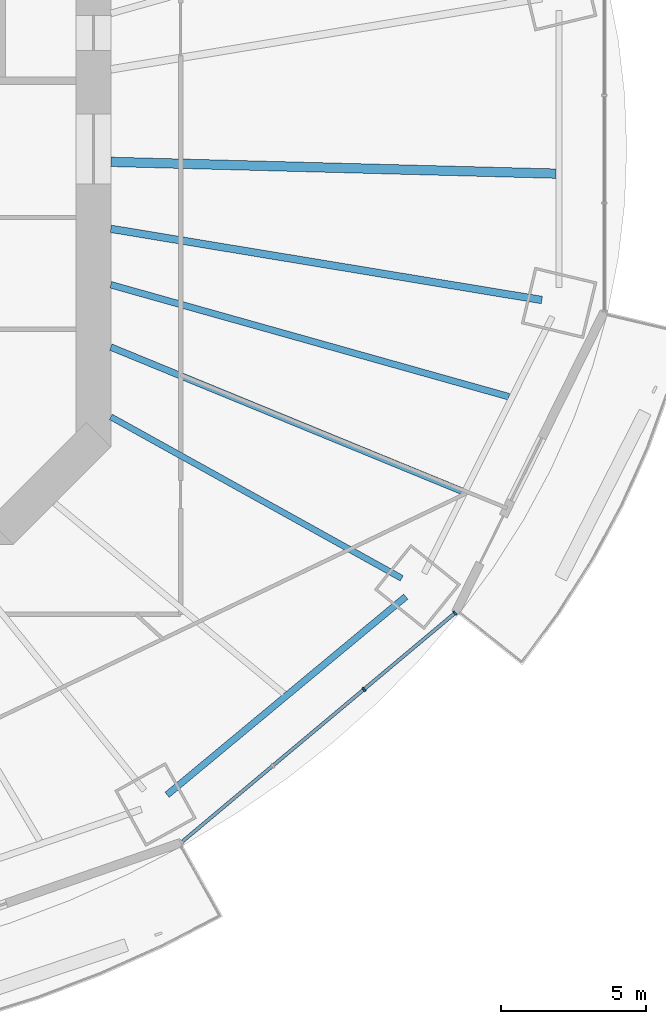
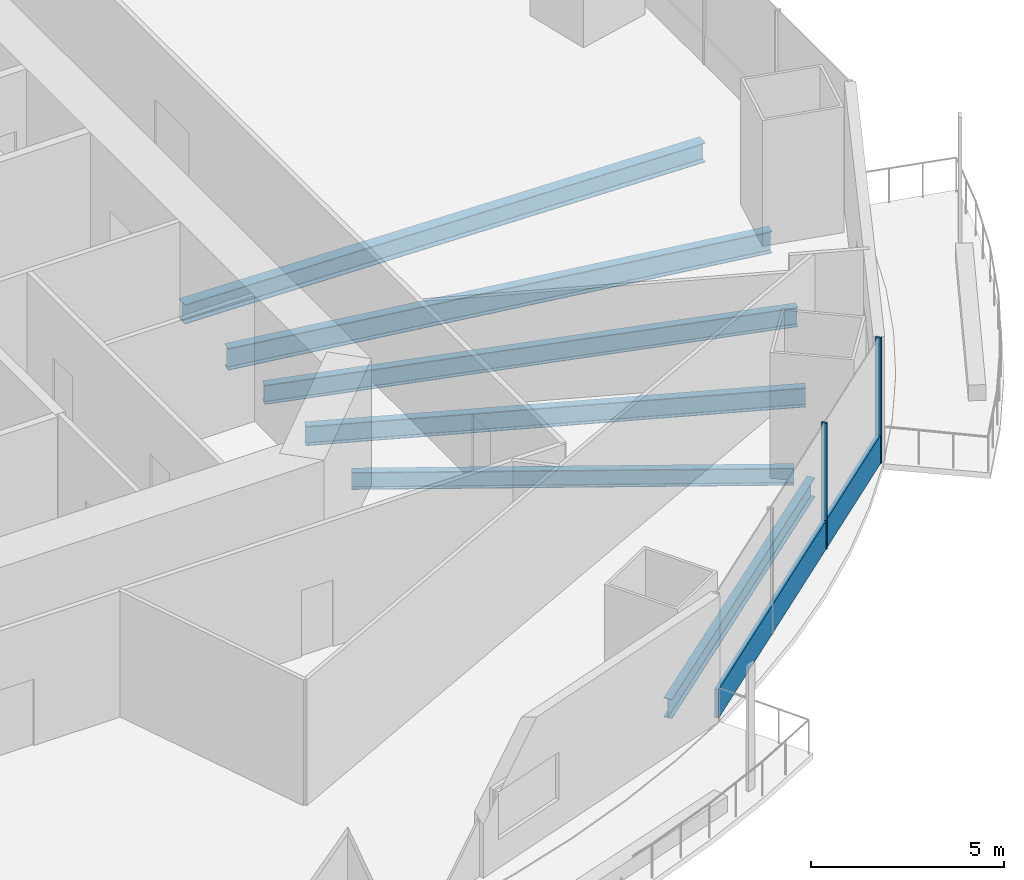
# One storey, part 5 of 22: 6 beams, 3 members, 1 element without a shape of its own.
"""IFC4 building model written with IfcOpenShell, lengths in metres."""

from ifc_helpers import new_model, si_unit, direction, frame, origin, origin_2d, place, context, subcontext, project, spatial, rectangle, i_section, extrude, material, material_profile, profile_set, type_object, element, aggregate, save


model = new_model("IFC4")

# Units and contexts
model_context = context("Model", 3, precision=1e-05, world=origin(), true_north=direction((0.0, 1.0)))
body_context = subcontext(model_context, "Body", "Model", "MODEL_VIEW")
ifc_project = project(units=[si_unit("LENGTHUNIT", "METRE"), si_unit("AREAUNIT", "SQUARE_METRE"), si_unit("VOLUMEUNIT", "CUBIC_METRE"), si_unit("PLANEANGLEUNIT", "RADIAN"), si_unit("MASSUNIT", "GRAM", prefix="KILO")], contexts=[model_context])

# Site, building, storey
site_placement = place(None, origin())
site = spatial("IfcSite", under=ifc_project, at=site_placement, CompositionType="ELEMENT")
building_placement = place(site_placement, origin())
building = spatial("IfcBuilding", under=site, at=building_placement, Name="Marenthal Gate Tower", CompositionType="ELEMENT")
storey_placement = place(building_placement, frame((0.0, 0.0, 116.0)))
storey = spatial("IfcBuildingStorey", under=building, at=storey_placement, Name="L24", CompositionType="ELEMENT", Elevation=116.0)

# Curtain wall, members
ifc_material_1 = material(Name="Aluminium and glass", Category="aluminium")
curtain_wall_type = type_object("IfcCurtainWallType", Name="Curtain wall typical low", PredefinedType="NOTDEFINED", material=ifc_material_1)
curtain_wall_placement = place(storey_placement, origin())
curtain_wall = element("IfcCurtainWall", 1, at=curtain_wall_placement, inside=storey, type_object=curtain_wall_type, Name="Curtain wall L24 bay 14", PredefinedType="NOTDEFINED")
ifc_material_2 = material(Name="Aluminium", Category="aluminium")
ifc_material_profile_1 = material_profile(ifc_material_2, rectangle(XDim=0.159912109375, YDim=0.06005859375, at=origin_2d()), Name="60x160 aluminium mullion")
ifc_profile_set_1 = profile_set([ifc_material_profile_1], Name="Aluminium")
member_type_1 = type_object("IfcMemberType", Name="Mullion 60x160 typical low", PredefinedType="MULLION", material=ifc_profile_set_1)
member_1_placement = place(storey_placement, frame((25.302490234375, -18.5830078125, 0.0), z_axis=(0.0, 0.0, 1.0), x_axis=(-0.642377082487, 0.766388728972, 0.0)))
member_1 = element("IfcMember", 2, at=member_1_placement, type_object=member_type_1, Name="Mullion L24 bay 14.3", PredefinedType="MULLION", context=body_context, shape_type="SweptSolid", body=[
    extrude(rectangle(XDim=0.159912109375, YDim=0.06005859375, at=origin_2d()), origin(), (0.0, 0.0, 1.0), 3.969970703125),
])
member_2_placement = place(storey_placement, frame((28.434814453125, -15.95751953125, 0.0), z_axis=(0.0, 0.0, 1.0), x_axis=(-0.642377082487, 0.766388728972, 0.0)))
member_2 = element("IfcMember", 3, at=member_2_placement, type_object=member_type_1, Name="Mullion L24 bay 14.4", PredefinedType="MULLION", context=body_context, shape_type="SweptSolid", body=[
    extrude(rectangle(XDim=0.159912109375, YDim=0.06005859375, at=origin_2d()), origin(), (0.0, 0.0, 1.0), 3.969970703125),
])
ifc_material_3 = material(Name="Aluminium", Category="aluminium")
ifc_material_profile_2 = material_profile(ifc_material_3, rectangle(XDim=0.1201171875, YDim=0.89990234375, at=origin_2d()), Name="120x900 aluminium transom")
ifc_profile_set_2 = profile_set([ifc_material_profile_2], Name="Aluminium")
member_type_2 = type_object("IfcMemberType", Name="Transom 120x900 typical low", PredefinedType="USERDEFINED", material=ifc_profile_set_2)
member_3_placement = place(storey_placement, frame((19.060791015625, -23.814697265625, 0.449951171875), z_axis=(0.766391084467, 0.64237427225, 0.0), x_axis=(-0.64237427225, 0.766391084467, 0.0)))
member_3 = element("IfcMember", 4, at=member_3_placement, type_object=member_type_2, Name="Transom L24 bay 14", ObjectType="TRANSOM", PredefinedType="USERDEFINED", context=body_context, shape_type="SweptSolid", body=[
    extrude(rectangle(XDim=0.1201171875, YDim=0.89990234375, at=origin_2d()), origin(), (0.0, 0.0, 1.0), 12.201416015625),
])
aggregate(curtain_wall, [member_1, member_2, member_3])

# Beams
ifc_material_4 = material(Name="Steel S355", Category="steel")
ifc_material_profile_3 = material_profile(ifc_material_4, i_section(OverallWidth=0.2119140625, OverallDepth=0.5439453125, WebThickness=0.01318359375, FlangeThickness=0.021240234375, FilletRadius=0.0126953125, at=origin_2d()), Name="W530X123")
ifc_profile_set_3 = profile_set([ifc_material_profile_3], Name="Steel S355")
beam_type_1 = type_object("IfcBeamType", Name="W530X123 beam", PredefinedType="BEAM", material=ifc_profile_set_3)
beam_1_placement = place(storey_placement, frame((26.605224609375, -14.761474609375, -0.451904296875), z_axis=(-0.87442184895, 0.485166394218, 0.0), x_axis=(-0.485166394218, -0.87442184895, 0.0)))
element("IfcBeam", 5, at=beam_1_placement, inside=storey, type_object=beam_type_1, Name="BM-L24-15", PredefinedType="BEAM", context=body_context, shape_type="SweptSolid", body=[
    extrude(i_section(OverallWidth=0.2119140625, OverallDepth=0.5439453125, WebThickness=0.01318359375, FlangeThickness=0.021240234375, FilletRadius=0.0126953125, at=origin_2d()), origin(), (0.0, 0.0, 1.0), 11.44189453125),
])
ifc_material_5 = material(Name="Steel S355", Category="steel")
ifc_material_profile_4 = material_profile(ifc_material_5, i_section(OverallWidth=0.22900390625, OverallDepth=0.612060546875, WebThickness=0.011962890625, FlangeThickness=0.01953125, FilletRadius=0.0126953125, at=origin_2d()), Name="W610X125")
ifc_profile_set_4 = profile_set([ifc_material_profile_4], Name="Steel S355")
beam_type_2 = type_object("IfcBeamType", Name="W610X125 beam", PredefinedType="BEAM", material=ifc_profile_set_4)
beam_2_placement = place(storey_placement, frame((28.670654296875, -11.7626953125, -0.486083984375), z_axis=(-0.925165248612, 0.379564569949, 0.0), x_axis=(-0.379564569949, -0.925165248612, 0.0)))
element("IfcBeam", 6, at=beam_2_placement, inside=storey, type_object=beam_type_2, Name="BM-L24-38", PredefinedType="BEAM", context=body_context, shape_type="SweptSolid", body=[
    extrude(i_section(OverallWidth=0.22900390625, OverallDepth=0.612060546875, WebThickness=0.011962890625, FlangeThickness=0.01953125, FilletRadius=0.0126953125, at=origin_2d()), origin(), (0.0, 0.0, 1.0), 13.046875),
])
beam_3_placement = place(storey_placement, frame((30.2900390625, -8.5166015625, -0.486083984375), z_axis=(-0.962672470775, 0.270669011917, 0.0), x_axis=(-0.270669011917, -0.962672470775, 0.0)))
element("IfcBeam", 7, at=beam_3_placement, inside=storey, type_object=beam_type_2, Name="BM-L24-39", PredefinedType="BEAM", context=body_context, shape_type="SweptSolid", body=[
    extrude(i_section(OverallWidth=0.22900390625, OverallDepth=0.612060546875, WebThickness=0.011962890625, FlangeThickness=0.01953125, FilletRadius=0.0126953125, at=origin_2d()), origin(), (0.0, 0.0, 1.0), 14.220703125),
])
beam_4_placement = place(storey_placement, frame((18.535400390625, -22.208740234375, -0.486083984375), z_axis=(0.769349195684, 0.638828470796, 0.0), x_axis=(-0.638828470796, 0.769349195684, 0.0)))
element("IfcBeam", 8, at=beam_4_placement, inside=storey, type_object=beam_type_2, Name="BM-L24-54", PredefinedType="BEAM", context=body_context, shape_type="SweptSolid", body=[
    extrude(i_section(OverallWidth=0.22900390625, OverallDepth=0.612060546875, WebThickness=0.011962890625, FlangeThickness=0.01953125, FilletRadius=0.0126953125, at=origin_2d()), origin(), (0.0, 0.0, 1.0), 10.66943359375),
])
ifc_material_6 = material(Name="Steel S355", Category="steel")
ifc_material_profile_5 = material_profile(ifc_material_6, i_section(OverallWidth=0.324951171875, OverallDepth=0.612060546875, WebThickness=0.0126953125, FlangeThickness=0.01904296875, FilletRadius=0.0126953125, at=origin_2d()), Name="W610X155")
ifc_profile_set_5 = profile_set([ifc_material_profile_5], Name="Steel S355")
beam_type_3 = type_object("IfcBeamType", Name="W610X155 beam", PredefinedType="BEAM", material=ifc_profile_set_5)
beam_5_placement = place(storey_placement, frame((31.91259765625, -0.843505859375, -0.486083984375), z_axis=(-0.999650779754, 0.02642571736, 0.0), x_axis=(-0.02642571736, -0.999650779754, 0.0)))
element("IfcBeam", 9, at=beam_5_placement, inside=storey, type_object=beam_type_3, Name="BM-L24-40", PredefinedType="BEAM", context=body_context, shape_type="SweptSolid", body=[
    extrude(i_section(OverallWidth=0.324951171875, OverallDepth=0.612060546875, WebThickness=0.0126953125, FlangeThickness=0.01904296875, FilletRadius=0.0126953125, at=origin_2d()), origin(), (0.0, 0.0, 1.0), 15.31787109375),
])
ifc_material_7 = material(Name="Steel S355", Category="steel")
ifc_material_profile_6 = material_profile(ifc_material_7, i_section(OverallWidth=0.257080078125, OverallDepth=0.693115234375, WebThickness=0.014404296875, FlangeThickness=0.023681640625, FilletRadius=0.015380859375, at=origin_2d()), Name="W690X170")
ifc_profile_set_6 = profile_set([ifc_material_profile_6], Name="Steel S355")
beam_type_4 = type_object("IfcBeamType", Name="W690X170 beam", PredefinedType="BEAM", material=ifc_profile_set_6)
beam_6_placement = place(storey_placement, frame((31.423828125, -5.190185546875, -0.526611328125), z_axis=(-0.986631792526, 0.162965352074, 0.0), x_axis=(-0.162965352074, -0.986631792526, 0.0)))
element("IfcBeam", 10, at=beam_6_placement, inside=storey, type_object=beam_type_4, Name="BM-L24-16", PredefinedType="BEAM", context=body_context, shape_type="SweptSolid", body=[
    extrude(i_section(OverallWidth=0.257080078125, OverallDepth=0.693115234375, WebThickness=0.014404296875, FlangeThickness=0.023681640625, FilletRadius=0.015380859375, at=origin_2d()), origin(), (0.0, 0.0, 1.0), 15.024658203125),
])

save(model, "model.ifc")
